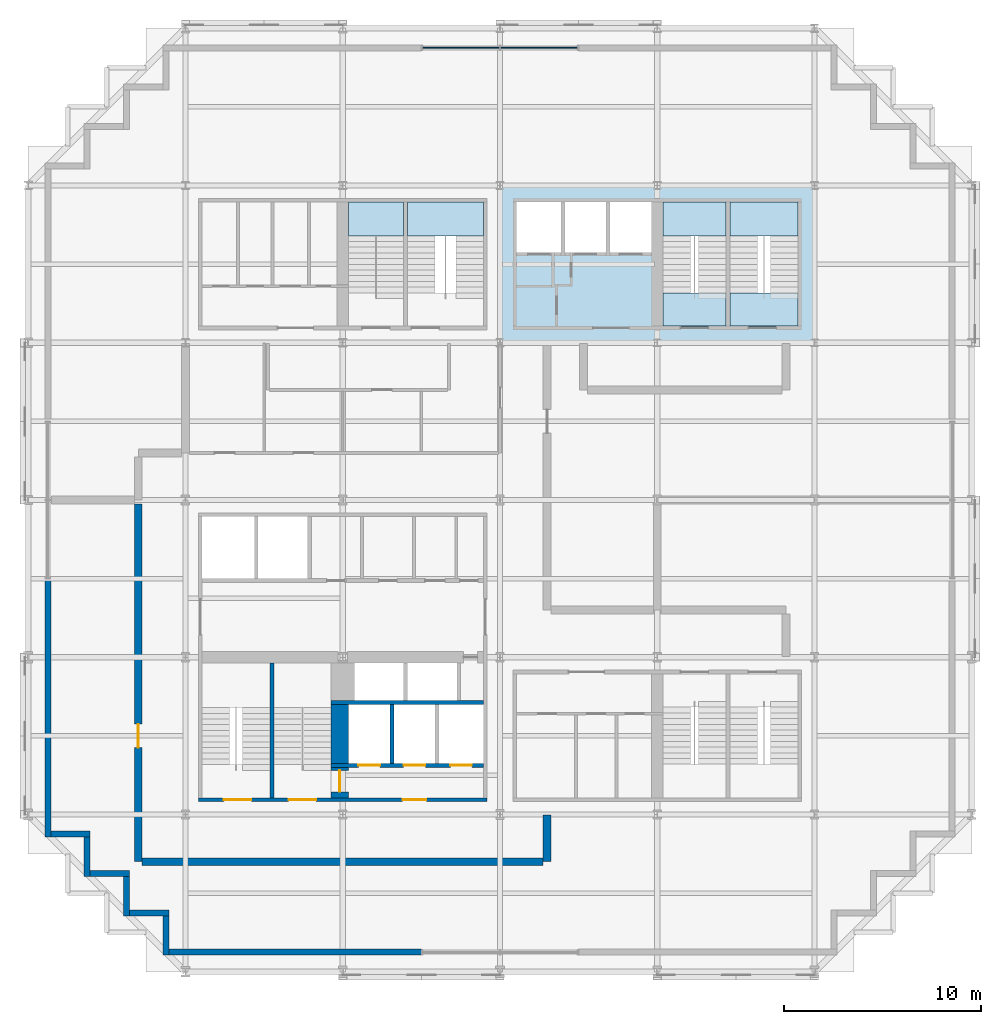
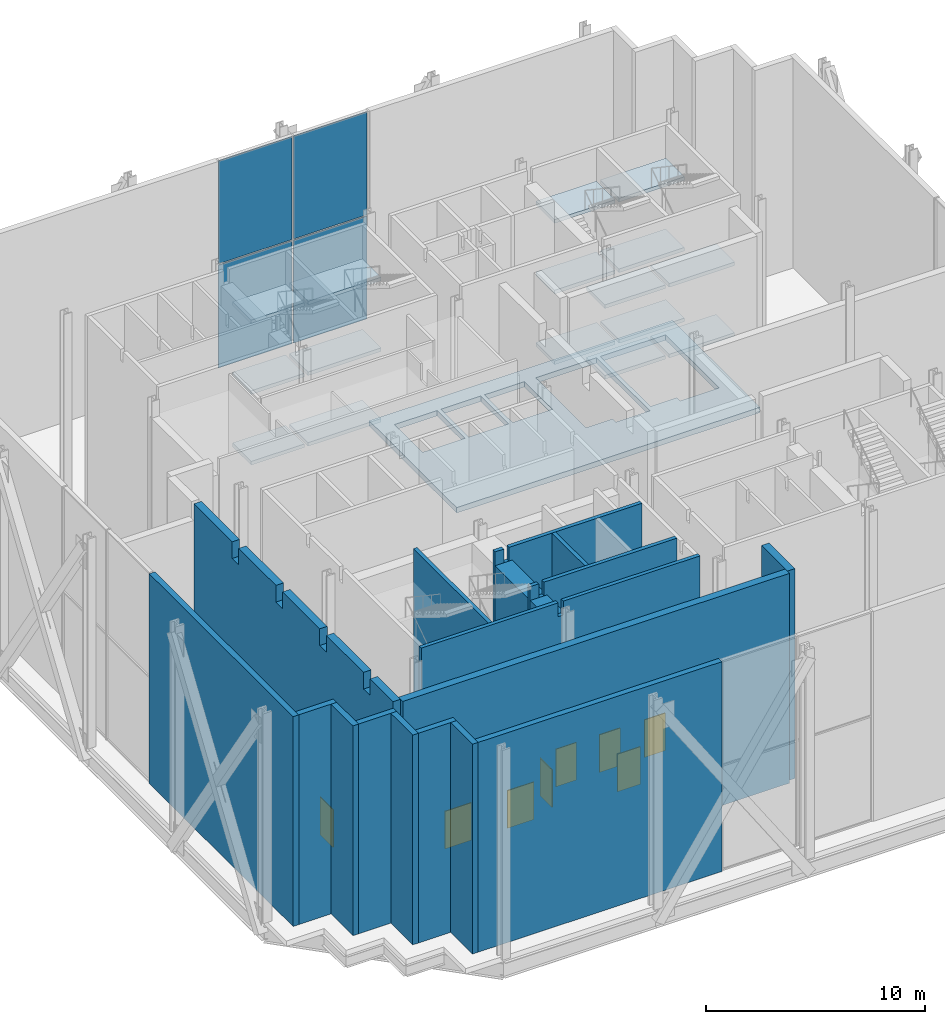
# One storey, part 7 of 14: 18 walls, 17 slabs, 8 doors, 4 plates, 8 openings, 5 elements without a shape of their own.
"""IFC4 building model written with IfcOpenShell, lengths in metres."""

from ifc_helpers import new_model, si_unit, direction, frame, frame_2d, origin, origin_2d, place, context, subcontext, project, spatial, polyline, rectangle, outline, extrude, material, layer, layer_set, type_object, element, fill, aggregate, save


model = new_model("IFC4")

# Units and contexts
model_context = context("Model", 3, precision=1e-05, world=origin(), true_north=direction((0.0, 1.0)))
body_context = subcontext(model_context, "Body", "Model", "MODEL_VIEW")
ifc_project = project(units=[si_unit("LENGTHUNIT", "METRE"), si_unit("AREAUNIT", "SQUARE_METRE"), si_unit("VOLUMEUNIT", "CUBIC_METRE"), si_unit("PLANEANGLEUNIT", "RADIAN"), si_unit("MASSUNIT", "GRAM", prefix="KILO")], contexts=[model_context])

# Site, building, storey
site_placement = place(None, origin())
site = spatial("IfcSite", under=ifc_project, at=site_placement, CompositionType="ELEMENT")
building_placement = place(site_placement, origin())
building = spatial("IfcBuilding", under=site, at=building_placement, Name="Immortelle Media Tower", CompositionType="ELEMENT")
storey_placement = place(building_placement, frame((0.0, 0.0, 9.0)))
storey = spatial("IfcBuildingStorey", under=building, at=storey_placement, Name="L01", CompositionType="ELEMENT", Elevation=9.0)

# Slab
ifc_material_1 = material(Name="Concrete C50/60", Category="concrete")
ifc_layer_1 = layer(ifc_material_1, 0.300048828125)
ifc_layer_set_1 = layer_set([ifc_layer_1], Name="Concrete C50/60")
slab_type_1 = type_object("IfcSlabType", Name="Core floor slab 300", PredefinedType="FLOOR", material=ifc_layer_set_1)
slab_1_placement = place(storey_placement, frame((0.0, 0.0, -0.300048828125)))
element("IfcSlab", 1, at=slab_1_placement, inside=storey, type_object=slab_type_1, Name="Core floor NE", PredefinedType="FLOOR", context=body_context, shape_type="SweptSolid", body=[
    extrude(outline(polyline([(24.0, 32.0), (40.0, 32.0), (40.0, 40.0), (24.0, 40.0), (24.0, 32.0)]), holes=[polyline([(24.85009765625, 36.60009765625), (27.10009765625, 36.60009765625), (27.10009765625, 39.14990234375), (24.85009765625, 39.14990234375), (24.85009765625, 36.60009765625)]), polyline([(27.300048828125, 36.60009765625), (29.39990234375, 36.60009765625), (29.39990234375, 39.14990234375), (27.300048828125, 39.14990234375), (27.300048828125, 36.60009765625)]), polyline([(29.60009765625, 36.60009765625), (31.699951171875, 36.60009765625), (31.699951171875, 39.14990234375), (29.60009765625, 39.14990234375), (29.60009765625, 36.60009765625)]), polyline([(32.300048828125, 39.14990234375), (35.5, 39.14990234375), (35.5, 34.27001953125), (33.699951171875, 34.27001953125), (33.699951171875, 34.56005859375), (32.300048828125, 34.56005859375), (32.300048828125, 39.14990234375)]), polyline([(35.699951171875, 39.14990234375), (39.14990234375, 39.14990234375), (39.14990234375, 34.27001953125), (37.10009765625, 34.27001953125), (37.10009765625, 34.56005859375), (35.699951171875, 34.56005859375), (35.699951171875, 39.14990234375)])]), origin(), (0.0, 0.0, 1.0), 0.300048828125),
])

# Curtain wall, plates
ifc_material_2 = material(Name="Aluminium curtain wall system", Category="aluminium")
curtain_wall_type = type_object("IfcCurtainWallType", Name="Media wall curtain wall", PredefinedType="NOTDEFINED", material=ifc_material_2)
curtain_wall_placement = place(storey_placement, origin())
curtain_wall = element("IfcCurtainWall", 2, at=curtain_wall_placement, inside=storey, type_object=curtain_wall_type, Name="Media wall L01 N 21-2", PredefinedType="NOTDEFINED")
ifc_material_3 = material(Name="Light-diffusing louvre panel, pale aluminium", Category="aluminium")
ifc_layer_2 = layer(ifc_material_3, 0.06005859375)
ifc_layer_set_2 = layer_set([ifc_layer_2], Name="Light-diffusing louvre panel, pale aluminium")
plate_type = type_object("IfcPlateType", Name="Louvre and light-diffusing panel 60 mm", PredefinedType="CURTAIN_PANEL", material=ifc_layer_set_2)
plate_1_placement = place(storey_placement, frame((25.97998046875, 47.0, 0.080078125), z_axis=(0.0, 0.0, 1.0), x_axis=(-1.0, 0.0, 0.0)))
plate_1 = element("IfcPlate", 3, at=plate_1_placement, type_object=plate_type, Name="CW3 panel 1.1", PredefinedType="CURTAIN_PANEL", context=body_context, shape_type="SweptSolid", body=[
    extrude(rectangle(XDim=3.8798828125, YDim=0.06005859375, at=origin_2d()), origin(), (0.0, 0.0, 1.0), 5.72998046875),
])
plate_2_placement = place(storey_placement, frame((25.97998046875, 47.0, 5.889892578125), z_axis=(0.0, 0.0, 1.0), x_axis=(-1.0, 0.0, 0.0)))
plate_2 = element("IfcPlate", 4, at=plate_2_placement, type_object=plate_type, Name="CW3 panel 1.2", PredefinedType="CURTAIN_PANEL", context=body_context, shape_type="SweptSolid", body=[
    extrude(rectangle(XDim=3.8798828125, YDim=0.06005859375, at=origin_2d()), origin(), (0.0, 0.0, 1.0), 5.72998046875),
])
plate_3_placement = place(storey_placement, frame((22.02001953125, 47.0, 0.080078125), z_axis=(0.0, 0.0, 1.0), x_axis=(-1.0, 0.0, 0.0)))
plate_3 = element("IfcPlate", 5, at=plate_3_placement, type_object=plate_type, Name="CW3 panel 2.1", PredefinedType="CURTAIN_PANEL", context=body_context, shape_type="SweptSolid", body=[
    extrude(rectangle(XDim=3.8798828125, YDim=0.06005859375, at=origin_2d()), origin(), (0.0, 0.0, 1.0), 5.72998046875),
])
plate_4_placement = place(storey_placement, frame((22.02001953125, 47.0, 5.889892578125), z_axis=(0.0, 0.0, 1.0), x_axis=(-1.0, 0.0, 0.0)))
plate_4 = element("IfcPlate", 6, at=plate_4_placement, type_object=plate_type, Name="CW3 panel 2.2", PredefinedType="CURTAIN_PANEL", context=body_context, shape_type="SweptSolid", body=[
    extrude(rectangle(XDim=3.8798828125, YDim=0.06005859375, at=origin_2d()), origin(), (0.0, 0.0, 1.0), 5.72998046875),
])
aggregate(curtain_wall, [plate_1, plate_2, plate_3, plate_4])

# Stair, slabs
ifc_material_4 = material(Name="Steel ASTM A992 Gr 50", Category="steel")
stair_type = type_object("IfcStairType", Name="Stair with flights", PredefinedType="DOUBLE_RETURN_STAIR", material=ifc_material_4)
stair_1_placement = place(storey_placement, origin())
stair_1 = element("IfcStair", 7, at=stair_1_placement, inside=storey, type_object=stair_type, Name="Exit stair NW1", PredefinedType="DOUBLE_RETURN_STAIR")
ifc_material_5 = material(Name="Steel ASTM A572 Gr 50", Category="steel")
ifc_layer_3 = layer(ifc_material_5, 0.199951171875)
ifc_layer_set_3 = layer_set([ifc_layer_3], Name="Steel ASTM A572 Gr 50")
slab_type_2 = type_object("IfcSlabType", Name="Stair landing 200", PredefinedType="LANDING", material=ifc_layer_set_3)
slab_2_placement = place(storey_placement, frame((0.0, 0.0, 1.770263671875)))
slab_2 = element("IfcSlab", 8, at=slab_2_placement, type_object=slab_type_2, Name="ST NW1 landing 1", PredefinedType="LANDING", context=body_context, shape_type="SweptSolid", body=[
    extrude(outline(polyline([(16.300048828125, 37.43994140625), (19.10009765625, 37.43994140625), (19.10009765625, 39.14990234375), (16.300048828125, 39.14990234375), (16.300048828125, 37.43994140625)])), origin(), (0.0, 0.0, 1.0), 0.199951171875),
])
slab_3_placement = place(storey_placement, frame((0.0, 0.0, 5.71044921875)))
slab_3 = element("IfcSlab", 9, at=slab_3_placement, type_object=slab_type_2, Name="ST NW1 landing 3", PredefinedType="LANDING", context=body_context, shape_type="SweptSolid", body=[
    extrude(outline(polyline([(16.300048828125, 37.43994140625), (19.10009765625, 37.43994140625), (19.10009765625, 39.14990234375), (16.300048828125, 39.14990234375), (16.300048828125, 37.43994140625)])), origin(), (0.0, 0.0, 1.0), 0.199951171875),
])
slab_4_placement = place(storey_placement, frame((0.0, 0.0, 9.650634765625)))
slab_4 = element("IfcSlab", 10, at=slab_4_placement, type_object=slab_type_2, Name="ST NW1 landing 5", PredefinedType="LANDING", context=body_context, shape_type="SweptSolid", body=[
    extrude(outline(polyline([(16.300048828125, 37.43994140625), (19.10009765625, 37.43994140625), (19.10009765625, 39.14990234375), (16.300048828125, 39.14990234375), (16.300048828125, 37.43994140625)])), origin(), (0.0, 0.0, 1.0), 0.2001953125),
])
aggregate(stair_1, [slab_2, slab_3, slab_4])

stair_2_placement = place(storey_placement, origin())
stair_2 = element("IfcStair", 11, at=stair_2_placement, inside=storey, type_object=stair_type, Name="Exit stair NW2", PredefinedType="DOUBLE_RETURN_STAIR")
slab_5_placement = place(storey_placement, frame((0.0, 0.0, 1.770263671875)))
slab_5 = element("IfcSlab", 12, at=slab_5_placement, type_object=slab_type_2, Name="ST NW2 landing 1", PredefinedType="LANDING", context=body_context, shape_type="SweptSolid", body=[
    extrude(outline(polyline([(19.300048828125, 37.43994140625), (23.14990234375, 37.43994140625), (23.14990234375, 39.14990234375), (19.300048828125, 39.14990234375), (19.300048828125, 37.43994140625)])), origin(), (0.0, 0.0, 1.0), 0.199951171875),
])
slab_6_placement = place(storey_placement, frame((0.0, 0.0, 5.71044921875)))
slab_6 = element("IfcSlab", 13, at=slab_6_placement, type_object=slab_type_2, Name="ST NW2 landing 3", PredefinedType="LANDING", context=body_context, shape_type="SweptSolid", body=[
    extrude(outline(polyline([(19.300048828125, 37.43994140625), (23.14990234375, 37.43994140625), (23.14990234375, 39.14990234375), (19.300048828125, 39.14990234375), (19.300048828125, 37.43994140625)])), origin(), (0.0, 0.0, 1.0), 0.199951171875),
])
slab_7_placement = place(storey_placement, frame((0.0, 0.0, 9.650634765625)))
slab_7 = element("IfcSlab", 14, at=slab_7_placement, type_object=slab_type_2, Name="ST NW2 landing 5", PredefinedType="LANDING", context=body_context, shape_type="SweptSolid", body=[
    extrude(outline(polyline([(19.300048828125, 37.43994140625), (23.14990234375, 37.43994140625), (23.14990234375, 39.14990234375), (19.300048828125, 39.14990234375), (19.300048828125, 37.43994140625)])), origin(), (0.0, 0.0, 1.0), 0.2001953125),
])
aggregate(stair_2, [slab_5, slab_6, slab_7])

stair_3_placement = place(storey_placement, origin())
stair_3 = element("IfcStair", 15, at=stair_3_placement, inside=storey, type_object=stair_type, Name="Exit stair NE1", PredefinedType="DOUBLE_RETURN_STAIR")
slab_8_placement = place(storey_placement, frame((0.0, 0.0, 1.770263671875)))
slab_8 = element("IfcSlab", 16, at=slab_8_placement, type_object=slab_type_2, Name="ST NE1 landing 1", PredefinedType="LANDING", context=body_context, shape_type="SweptSolid", body=[
    extrude(outline(polyline([(32.300048828125, 37.43994140625), (35.5, 37.43994140625), (35.5, 39.14990234375), (32.300048828125, 39.14990234375), (32.300048828125, 37.43994140625)])), origin(), (0.0, 0.0, 1.0), 0.199951171875),
])
slab_9_placement = place(storey_placement, frame((0.0, 0.0, 3.740234375)))
slab_9 = element("IfcSlab", 17, at=slab_9_placement, type_object=slab_type_2, Name="ST NE1 landing 2", PredefinedType="LANDING", context=body_context, shape_type="SweptSolid", body=[
    extrude(outline(polyline([(32.300048828125, 32.85009765625), (35.5, 32.85009765625), (35.5, 34.5400390625), (32.300048828125, 34.5400390625), (32.300048828125, 32.85009765625)])), origin(), (0.0, 0.0, 1.0), 0.199951171875),
])
slab_10_placement = place(storey_placement, frame((0.0, 0.0, 5.71044921875)))
slab_10 = element("IfcSlab", 18, at=slab_10_placement, type_object=slab_type_2, Name="ST NE1 landing 3", PredefinedType="LANDING", context=body_context, shape_type="SweptSolid", body=[
    extrude(outline(polyline([(32.300048828125, 37.43994140625), (35.5, 37.43994140625), (35.5, 39.14990234375), (32.300048828125, 39.14990234375), (32.300048828125, 37.43994140625)])), origin(), (0.0, 0.0, 1.0), 0.199951171875),
])
slab_11_placement = place(storey_placement, frame((0.0, 0.0, 7.6806640625)))
slab_11 = element("IfcSlab", 19, at=slab_11_placement, type_object=slab_type_2, Name="ST NE1 landing 4", PredefinedType="LANDING", context=body_context, shape_type="SweptSolid", body=[
    extrude(outline(polyline([(32.300048828125, 32.85009765625), (35.5, 32.85009765625), (35.5, 34.5400390625), (32.300048828125, 34.5400390625), (32.300048828125, 32.85009765625)])), origin(), (0.0, 0.0, 1.0), 0.199951171875),
])
slab_12_placement = place(storey_placement, frame((0.0, 0.0, 9.650634765625)))
slab_12 = element("IfcSlab", 20, at=slab_12_placement, type_object=slab_type_2, Name="ST NE1 landing 5", PredefinedType="LANDING", context=body_context, shape_type="SweptSolid", body=[
    extrude(outline(polyline([(32.300048828125, 37.43994140625), (35.5, 37.43994140625), (35.5, 39.14990234375), (32.300048828125, 39.14990234375), (32.300048828125, 37.43994140625)])), origin(), (0.0, 0.0, 1.0), 0.2001953125),
])
aggregate(stair_3, [slab_8, slab_9, slab_10, slab_11, slab_12])

stair_4_placement = place(storey_placement, origin())
stair_4 = element("IfcStair", 21, at=stair_4_placement, inside=storey, type_object=stair_type, Name="Exit stair NE2", PredefinedType="DOUBLE_RETURN_STAIR")
slab_13_placement = place(storey_placement, frame((0.0, 0.0, 1.770263671875)))
slab_13 = element("IfcSlab", 22, at=slab_13_placement, type_object=slab_type_2, Name="ST NE2 landing 1", PredefinedType="LANDING", context=body_context, shape_type="SweptSolid", body=[
    extrude(outline(polyline([(35.699951171875, 37.43994140625), (39.14990234375, 37.43994140625), (39.14990234375, 39.14990234375), (35.699951171875, 39.14990234375), (35.699951171875, 37.43994140625)])), origin(), (0.0, 0.0, 1.0), 0.199951171875),
])
slab_14_placement = place(storey_placement, frame((0.0, 0.0, 3.740234375)))
slab_14 = element("IfcSlab", 23, at=slab_14_placement, type_object=slab_type_2, Name="ST NE2 landing 2", PredefinedType="LANDING", context=body_context, shape_type="SweptSolid", body=[
    extrude(outline(polyline([(35.699951171875, 32.85009765625), (39.14990234375, 32.85009765625), (39.14990234375, 34.5400390625), (35.699951171875, 34.5400390625), (35.699951171875, 32.85009765625)])), origin(), (0.0, 0.0, 1.0), 0.199951171875),
])
slab_15_placement = place(storey_placement, frame((0.0, 0.0, 5.71044921875)))
slab_15 = element("IfcSlab", 24, at=slab_15_placement, type_object=slab_type_2, Name="ST NE2 landing 3", PredefinedType="LANDING", context=body_context, shape_type="SweptSolid", body=[
    extrude(outline(polyline([(35.699951171875, 37.43994140625), (39.14990234375, 37.43994140625), (39.14990234375, 39.14990234375), (35.699951171875, 39.14990234375), (35.699951171875, 37.43994140625)])), origin(), (0.0, 0.0, 1.0), 0.199951171875),
])
slab_16_placement = place(storey_placement, frame((0.0, 0.0, 7.6806640625)))
slab_16 = element("IfcSlab", 25, at=slab_16_placement, type_object=slab_type_2, Name="ST NE2 landing 4", PredefinedType="LANDING", context=body_context, shape_type="SweptSolid", body=[
    extrude(outline(polyline([(35.699951171875, 32.85009765625), (39.14990234375, 32.85009765625), (39.14990234375, 34.5400390625), (35.699951171875, 34.5400390625), (35.699951171875, 32.85009765625)])), origin(), (0.0, 0.0, 1.0), 0.199951171875),
])
slab_17_placement = place(storey_placement, frame((0.0, 0.0, 9.650634765625)))
slab_17 = element("IfcSlab", 26, at=slab_17_placement, type_object=slab_type_2, Name="ST NE2 landing 5", PredefinedType="LANDING", context=body_context, shape_type="SweptSolid", body=[
    extrude(outline(polyline([(35.699951171875, 37.43994140625), (39.14990234375, 37.43994140625), (39.14990234375, 39.14990234375), (35.699951171875, 39.14990234375), (35.699951171875, 37.43994140625)])), origin(), (0.0, 0.0, 1.0), 0.2001953125),
])
aggregate(stair_4, [slab_13, slab_14, slab_15, slab_16, slab_17])

# Wall, openings, doors
ifc_material_6 = material(Name="Fire-rated gypsum board", Category="gypsum")
ifc_layer_4 = layer(ifc_material_6, 0.03759765625)
ifc_material_7 = material(Name="Steel ASTM A653 SS Gr 50 stud frame with mineral wool", Category="steel")
ifc_layer_5 = layer(ifc_material_7, 0.125)
ifc_layer_6 = layer(ifc_material_6, 0.03759765625)
ifc_layer_set_4 = layer_set([ifc_layer_4, ifc_layer_5, ifc_layer_6], Name="Steel ASTM A653 SS Gr 50 stud frame with mineral wool")
wall_type_1 = type_object("IfcWallType", Name="Core shaft wall 200", PredefinedType="PARTITIONING", material=ifc_layer_set_4)
wall_1_placement = place(storey_placement, frame((15.39990234375, 10.5, 0.0), z_axis=(0.0, 0.0, 1.0), x_axis=(1.0, 0.0, 0.0)))
wall_1 = element("IfcWall", 27, at=wall_1_placement, inside=storey, type_object=wall_type_1, Name="Core shaft wall SW", PredefinedType="PARTITIONING", context=body_context, shape_type="SweptSolid", body=[
    extrude(outline(polyline([(0.0, 0.0), (7.75, 0.0), (7.75, 11.699951171875), (0.738525390625, 11.699951171875), (0.737548828125, 10.931884765625), (0.46240234375, 10.931884765625), (0.46142578125, 11.699951171875), (0.0, 11.699951171875), (0.0, 0.0)])), frame((0.0, 0.10009765625, 0.0), z_axis=(0.0, -1.0, 0.0), x_axis=(1.0, 0.0, 0.0)), (0.0, 0.0, 1.0), 0.199951171875),
])
opening_1_placement = place(wall_1_placement, frame((1.39990234375, 0.0, 0.0)))
opening_1 = element("IfcOpeningElement", 28, at=opening_1_placement, cuts=wall_1, Name="Opening LD", PredefinedType="OPENING", context=body_context, shape_type="SweptSolid", body=[
    extrude(rectangle(XDim=1.10009765625, YDim=2.10009765625, at=frame_2d((0.550048828125, 1.050048828125))), frame((0.0, 0.10986328125, 0.0), z_axis=(0.0, -1.0, 0.0), x_axis=(1.0, 0.0, 0.0)), (0.0, 0.0, 1.0), 0.219970703125),
])
opening_2_placement = place(wall_1_placement, frame((3.699951171875, 0.0, 0.0)))
opening_2 = element("IfcOpeningElement", 29, at=opening_2_placement, cuts=wall_1, Name="Opening LD", PredefinedType="OPENING", context=body_context, shape_type="SweptSolid", body=[
    extrude(rectangle(XDim=1.10009765625, YDim=2.10009765625, at=frame_2d((0.550048828125, 1.050048828125))), frame((0.0, 0.10986328125, 0.0), z_axis=(0.0, -1.0, 0.0), x_axis=(1.0, 0.0, 0.0)), (0.0, 0.0, 1.0), 0.219970703125),
])
opening_3_placement = place(wall_1_placement, frame((6.074951171875, 0.0, 0.0)))
opening_3 = element("IfcOpeningElement", 30, at=opening_3_placement, cuts=wall_1, Name="Opening LD", PredefinedType="OPENING", context=body_context, shape_type="SweptSolid", body=[
    extrude(rectangle(XDim=1.10009765625, YDim=2.10009765625, at=frame_2d((0.550048828125, 1.050048828125))), frame((0.0, 0.10986328125, 0.0), z_axis=(0.0, -1.0, 0.0), x_axis=(1.0, 0.0, 0.0)), (0.0, 0.0, 1.0), 0.219970703125),
])
ifc_material_8 = material(Name="Stainless steel AISI 304", Category="steel")
door_type_1 = type_object("IfcDoorType", Name="Landing door 1100 x 2100", OperationType="SLIDING_TO_LEFT", PredefinedType="NOTDEFINED", material=ifc_material_8)
door_1_placement = place(opening_1_placement, origin())
door_1 = element("IfcDoor", 31, at=door_1_placement, inside=storey, type_object=door_type_1, Name="Landing door FF1 L01", OperationType="SLIDING_TO_LEFT", OverallHeight=2.10009765625, OverallWidth=1.10009765625, PredefinedType="NOTDEFINED", context=body_context, shape_type="SweptSolid", body=[
    extrude(rectangle(XDim=1.10009765625, YDim=2.10009765625, at=frame_2d((0.550048828125, 1.050048828125))), frame((0.0, 0.02490234375, 0.0), z_axis=(0.0, -1.0, 0.0), x_axis=(1.0, 0.0, 0.0)), (0.0, 0.0, 1.0), 0.050048828125),
])
fill(opening_1, door_1)
door_2_placement = place(opening_2_placement, origin())
door_2 = element("IfcDoor", 32, at=door_2_placement, inside=storey, type_object=door_type_1, Name="Landing door FF2 L01", OperationType="SLIDING_TO_LEFT", OverallHeight=2.10009765625, OverallWidth=1.10009765625, PredefinedType="NOTDEFINED", context=body_context, shape_type="SweptSolid", body=[
    extrude(rectangle(XDim=1.10009765625, YDim=2.10009765625, at=frame_2d((0.550048828125, 1.050048828125))), frame((0.0, 0.02490234375, 0.0), z_axis=(0.0, -1.0, 0.0), x_axis=(1.0, 0.0, 0.0)), (0.0, 0.0, 1.0), 0.050048828125),
])
fill(opening_2, door_2)
door_3_placement = place(opening_3_placement, origin())
door_3 = element("IfcDoor", 33, at=door_3_placement, inside=storey, type_object=door_type_1, Name="Landing door FF3 L01", OperationType="SLIDING_TO_LEFT", OverallHeight=2.10009765625, OverallWidth=1.10009765625, PredefinedType="NOTDEFINED", context=body_context, shape_type="SweptSolid", body=[
    extrude(rectangle(XDim=1.10009765625, YDim=2.10009765625, at=frame_2d((0.550048828125, 1.050048828125))), frame((0.0, 0.02490234375, 0.0), z_axis=(0.0, -1.0, 0.0), x_axis=(1.0, 0.0, 0.0)), (0.0, 0.0, 1.0), 0.050048828125),
])
fill(opening_3, door_3)

# Walls
wall_2_placement = place(storey_placement, frame((15.39990234375, 13.699951171875, 0.0), z_axis=(0.0, 0.0, 1.0), x_axis=(1.0, 0.0, 0.0)))
element("IfcWall", 34, at=wall_2_placement, inside=storey, type_object=wall_type_1, Name="Core shaft wall SW", PredefinedType="PARTITIONING", context=body_context, shape_type="SweptSolid", body=[
    extrude(outline(polyline([(0.0, 0.0), (7.75, 0.0), (7.75, 11.699951171875), (0.738525390625, 11.699951171875), (0.737548828125, 10.931884765625), (0.46240234375, 10.931884765625), (0.46142578125, 11.699951171875), (0.0, 11.699951171875), (0.0, 0.0)])), frame((0.0, 0.10009765625, 0.0), z_axis=(0.0, -1.0, 0.0), x_axis=(1.0, 0.0, 0.0)), (0.0, 0.0, 1.0), 0.199951171875),
])
wall_3_placement = place(storey_placement, frame((18.5, 10.60009765625, 0.0), z_axis=(0.0, 0.0, 1.0), x_axis=(0.0, 1.0, 0.0)))
element("IfcWall", 35, at=wall_3_placement, inside=storey, type_object=wall_type_1, Name="Core shaft wall SW", PredefinedType="PARTITIONING", context=body_context, shape_type="SweptSolid", body=[
    extrude(rectangle(XDim=3.0, YDim=0.199951171875, at=frame_2d((1.5, 0.0))), origin(), (0.0, 0.0, 1.0), 11.699951171875),
])
ifc_material_9 = material(Name="Pale aluminium cladding panel", Category="aluminium")
ifc_layer_7 = layer(ifc_material_9, 0.030029296875)
ifc_layer_8 = layer(ifc_material_7, 0.257568359375)
ifc_material_10 = material(Name="Moisture-resistant gypsum board", Category="gypsum")
ifc_layer_9 = layer(ifc_material_10, 0.012451171875)
ifc_layer_set_5 = layer_set([ifc_layer_7, ifc_layer_8, ifc_layer_9], Name="Steel ASTM A653 SS Gr 50 stud frame with mineral wool")
wall_type_2 = type_object("IfcWallType", Name="Pale metal clad wall 300", PredefinedType="STANDARD", material=ifc_layer_set_5)
for number, where, z_axis, x_axis, name in (
    (36, (1.14990234375, 7.0, 0.0), (0.0, 0.0, 1.0), (1.0, 0.0, 0.0), "Studio wall L01 S 1"),
    (37, (3.0, 6.85009765625, 0.0), (0.0, 0.0, 1.0), (0.0, -1.0, 0.0), "Studio wall L01 W 2"),
    (38, (3.14990234375, 5.0, 0.0), (0.0, 0.0, 1.0), (1.0, 0.0, 0.0), "Studio wall L01 S 3"),
    (39, (5.0, 4.85009765625, 0.0), (0.0, 0.0, 1.0), (0.0, -1.0, 0.0), "Studio wall L01 W 4"),
    (40, (5.14990234375, 3.0, 0.0), (0.0, 0.0, 1.0), (1.0, 0.0, 0.0), "Studio wall L01 S 5"),
    (41, (7.0, 2.85009765625, 0.0), (0.0, 0.0, 1.0), (0.0, -1.0, 0.0), "Studio wall L01 W 6"),
):
    element("IfcWall", number, at=place(storey_placement, frame(where, z_axis=z_axis, x_axis=x_axis)), inside=storey, type_object=wall_type_2, Name=name, PredefinedType="STANDARD", context=body_context, shape_type="SweptSolid", body=[
        extrude(rectangle(XDim=2.0, YDim=0.300048828125, at=frame_2d((1.0, 0.0))), origin(), (0.0, 0.0, 1.0), 11.699951171875),
    ])
wall_4_placement = place(storey_placement, frame((7.14990234375, 1.0, 0.0), z_axis=(0.0, 0.0, 1.0), x_axis=(1.0, 0.0, 0.0)))
element("IfcWall", 42, at=wall_4_placement, inside=storey, type_object=wall_type_2, Name="Studio wall L01 S 7-1", PredefinedType="STANDARD", context=body_context, shape_type="SweptSolid", body=[
    extrude(rectangle(XDim=12.85009765625, YDim=0.300048828125, at=frame_2d((6.425048828125, 0.0))), origin(), (0.0, 0.0, 1.0), 11.699951171875),
])
wall_5_placement = place(storey_placement, frame((1.0, 20.0, 0.0), z_axis=(0.0, 0.0, 1.0), x_axis=(0.0, -1.0, 0.0)))
element("IfcWall", 43, at=wall_5_placement, inside=storey, type_object=wall_type_2, Name="Studio wall L01 W 28-3", PredefinedType="STANDARD", context=body_context, shape_type="SweptSolid", body=[
    extrude(rectangle(XDim=13.14990234375, YDim=0.300048828125, at=frame_2d((6.574951171875, 0.0))), origin(), (0.0, 0.0, 1.0), 11.699951171875),
])

# Wall, openings, doors
ifc_material_11 = material(Name="Concrete C60", Category="concrete")
ifc_layer_10 = layer(ifc_material_11, 0.199951171875)
ifc_layer_set_6 = layer_set([ifc_layer_10], Name="Concrete C60")
wall_type_3 = type_object("IfcWallType", Name="Stair shaft wall 200", PredefinedType="PARTITIONING", material=ifc_layer_set_6)
wall_6_placement = place(storey_placement, frame((8.64990234375, 8.75, 0.0), z_axis=(0.0, 0.0, 1.0), x_axis=(1.0, 0.0, 0.0)))
wall_6 = element("IfcWall", 44, at=wall_6_placement, inside=storey, type_object=wall_type_3, Name="Stair shaft wall SW", PredefinedType="PARTITIONING", context=body_context, shape_type="SweptSolid", body=[
    extrude(outline(polyline([(0.0, 0.0), (14.7001953125, 0.0), (14.699951171875, 11.699951171875), (7.488525390625, 11.699951171875), (7.487548828125, 10.931884765625), (7.21240234375, 10.931884765625), (7.21142578125, 11.699951171875), (0.0, 11.699951171875), (0.0, 0.0)])), frame((0.0, 0.10009765625, 0.0), z_axis=(0.0, -1.0, 0.0), x_axis=(1.0, 0.0, 0.0)), (0.0, 0.0, 1.0), 0.199951171875),
])
opening_4_placement = place(wall_6_placement, frame((1.300048828125, 0.0, 0.0)))
opening_4 = element("IfcOpeningElement", 45, at=opening_4_placement, cuts=wall_6, Name="Opening P1-K002", PredefinedType="OPENING", context=body_context, shape_type="SweptSolid", body=[
    extrude(rectangle(XDim=1.39990234375, YDim=2.10009765625, at=frame_2d((0.699951171875, 1.050048828125))), frame((0.0, 0.10986328125, 0.0), z_axis=(0.0, -1.0, 0.0), x_axis=(1.0, 0.0, 0.0)), (0.0, 0.0, 1.0), 0.219970703125),
])
opening_5_placement = place(wall_6_placement, frame((4.60009765625, 0.0, 0.0)))
opening_5 = element("IfcOpeningElement", 46, at=opening_5_placement, cuts=wall_6, Name="Opening P1-K003", PredefinedType="OPENING", context=body_context, shape_type="SweptSolid", body=[
    extrude(rectangle(XDim=1.39990234375, YDim=2.10009765625, at=frame_2d((0.699951171875, 1.050048828125))), frame((0.0, 0.10986328125, 0.0), z_axis=(0.0, -1.0, 0.0), x_axis=(1.0, 0.0, 0.0)), (0.0, 0.0, 1.0), 0.219970703125),
])
opening_6_placement = place(wall_6_placement, frame((10.39990234375, 0.0, 0.0)))
opening_6 = element("IfcOpeningElement", 47, at=opening_6_placement, cuts=wall_6, Name="Opening P1-K008", PredefinedType="OPENING", context=body_context, shape_type="SweptSolid", body=[
    extrude(rectangle(XDim=1.199951171875, YDim=2.10009765625, at=frame_2d((0.60009765625, 1.050048828125))), frame((0.0, 0.10986328125, 0.0), z_axis=(0.0, -1.0, 0.0), x_axis=(1.0, 0.0, 0.0)), (0.0, 0.0, 1.0), 0.219970703125),
])
ifc_material_12 = material(Name="Galvanised steel door leaf and frame ASTM A653", Category="steel")
door_type_2 = type_object("IfcDoorType", Name="Fire-fighting lobby door 1200 x 2100", OperationType="NOTDEFINED", PredefinedType="NOTDEFINED", material=ifc_material_12)
door_4_placement = place(opening_6_placement, origin())
door_4 = element("IfcDoor", 48, at=door_4_placement, inside=storey, type_object=door_type_2, Name="Fire-fighting lobby P1-K008", OperationType="SINGLE_SWING_LEFT", OverallHeight=2.10009765625, OverallWidth=1.199951171875, PredefinedType="NOTDEFINED", context=body_context, shape_type="SweptSolid", body=[
    extrude(rectangle(XDim=1.199951171875, YDim=2.10009765625, at=frame_2d((0.60009765625, 1.050048828125))), frame((0.0, 0.02490234375, 0.0), z_axis=(0.0, -1.0, 0.0), x_axis=(1.0, 0.0, 0.0)), (0.0, 0.0, 1.0), 0.050048828125),
])
fill(opening_6, door_4)
door_type_3 = type_object("IfcDoorType", Name="Stair door 1400 x 2100", OperationType="DOUBLE_DOOR_SINGLE_SWING", PredefinedType="NOTDEFINED", material=ifc_material_12)
door_5_placement = place(opening_4_placement, origin())
door_5 = element("IfcDoor", 49, at=door_5_placement, inside=storey, type_object=door_type_3, Name="Stair P1-K002", OperationType="DOUBLE_DOOR_SINGLE_SWING", OverallHeight=2.10009765625, OverallWidth=1.39990234375, PredefinedType="NOTDEFINED", context=body_context, shape_type="SweptSolid", body=[
    extrude(rectangle(XDim=1.39990234375, YDim=2.10009765625, at=frame_2d((0.699951171875, 1.050048828125))), frame((0.0, 0.02490234375, 0.0), z_axis=(0.0, -1.0, 0.0), x_axis=(1.0, 0.0, 0.0)), (0.0, 0.0, 1.0), 0.050048828125),
])
fill(opening_4, door_5)
door_6_placement = place(opening_5_placement, origin())
door_6 = element("IfcDoor", 50, at=door_6_placement, inside=storey, type_object=door_type_3, Name="Stair P1-K003", OperationType="DOUBLE_DOOR_SINGLE_SWING", OverallHeight=2.10009765625, OverallWidth=1.39990234375, PredefinedType="NOTDEFINED", context=body_context, shape_type="SweptSolid", body=[
    extrude(rectangle(XDim=1.39990234375, YDim=2.10009765625, at=frame_2d((0.699951171875, 1.050048828125))), frame((0.0, 0.02490234375, 0.0), z_axis=(0.0, -1.0, 0.0), x_axis=(1.0, 0.0, 0.0)), (0.0, 0.0, 1.0), 0.050048828125),
])
fill(opening_5, door_6)

# Wall
wall_7_placement = place(storey_placement, frame((12.39990234375, 8.85009765625, 0.0), z_axis=(0.0, 0.0, 1.0), x_axis=(0.0, 1.0, 0.0)))
element("IfcWall", 51, at=wall_7_placement, inside=storey, type_object=wall_type_3, Name="Stair shaft wall SW", PredefinedType="PARTITIONING", context=body_context, shape_type="SweptSolid", body=[
    extrude(rectangle(XDim=6.849853515625, YDim=0.199951171875, at=frame_2d((3.4248046875, 0.0))), origin(), (0.0, 0.0, 1.0), 11.699951171875),
])

# Wall, opening, door
ifc_layer_11 = layer(ifc_material_11, 0.89990234375)
ifc_layer_set_7 = layer_set([ifc_layer_11], Name="Concrete C60")
wall_type_4 = type_object("IfcWallType", Name="Stair shaft wall 900", PredefinedType="PARTITIONING", material=ifc_layer_set_7)
wall_8_placement = place(storey_placement, frame((15.85009765625, 8.85009765625, 0.0), z_axis=(0.0, 0.0, 1.0), x_axis=(0.0, 1.0, 0.0)))
wall_8 = element("IfcWall", 52, at=wall_8_placement, inside=storey, type_object=wall_type_4, Name="Stair shaft wall SW", PredefinedType="PARTITIONING", context=body_context, shape_type="SweptSolid", body=[
    extrude(rectangle(XDim=1.5498046875, YDim=0.89990234375, at=frame_2d((0.77490234375, 0.0))), origin(), (0.0, 0.0, 1.0), 10.931884765625),
])
opening_7_placement = place(wall_8_placement, frame((0.300048828125, 0.0, 0.0)))
opening_7 = element("IfcOpeningElement", 53, at=opening_7_placement, cuts=wall_8, Name="Opening P1-K005", PredefinedType="OPENING", context=body_context, shape_type="SweptSolid", body=[
    extrude(rectangle(XDim=1.10009765625, YDim=2.10009765625, at=frame_2d((0.550048828125, 1.050048828125))), frame((0.0, 0.4599609375, 0.0), z_axis=(0.0, -1.0, 0.0), x_axis=(1.0, 0.0, 0.0)), (0.0, 0.0, 1.0), 0.919921875),
])
door_type_4 = type_object("IfcDoorType", Name="Stair lobby door 1100 x 2100", OperationType="NOTDEFINED", PredefinedType="NOTDEFINED", material=ifc_material_12)
door_7_placement = place(opening_7_placement, origin())
door_7 = element("IfcDoor", 54, at=door_7_placement, inside=storey, type_object=door_type_4, Name="Stair lobby P1-K005", OperationType="SINGLE_SWING_LEFT", OverallHeight=2.10009765625, OverallWidth=1.10009765625, PredefinedType="NOTDEFINED", context=body_context, shape_type="SweptSolid", body=[
    extrude(rectangle(XDim=1.10009765625, YDim=2.10009765625, at=frame_2d((0.550048828125, 1.050048828125))), frame((0.0, 0.02490234375, 0.0), z_axis=(0.0, -1.0, 0.0), x_axis=(1.0, 0.0, 0.0)), (0.0, 0.0, 1.0), 0.050048828125),
])
fill(opening_7, door_7)

# Walls
wall_9_placement = place(storey_placement, frame((15.85009765625, 10.60009765625, 0.0), z_axis=(0.0, 0.0, 1.0), x_axis=(0.0, 1.0, 0.0)))
element("IfcWall", 55, at=wall_9_placement, inside=storey, type_object=wall_type_4, Name="Stair shaft wall SW", PredefinedType="PARTITIONING", context=body_context, shape_type="SweptSolid", body=[
    extrude(rectangle(XDim=3.0, YDim=0.89990234375, at=frame_2d((1.5, 0.0))), origin(), (0.0, 0.0, 1.0), 10.931884765625),
])
ifc_material_13 = material(Name="Acoustic masonry blockwork", Category="masonry")
ifc_layer_12 = layer(ifc_material_13, 0.39990234375)
ifc_layer_set_8 = layer_set([ifc_layer_12], Name="Acoustic masonry blockwork")
wall_type_5 = type_object("IfcWallType", Name="Studio shell 400", PredefinedType="PARTITIONING", material=ifc_layer_set_8)
wall_10_placement = place(storey_placement, frame((5.800048828125, 5.60009765625, 0.0), z_axis=(0.0, 0.0, 1.0), x_axis=(1.0, 0.0, 0.0)))
element("IfcWall", 56, at=wall_10_placement, inside=storey, type_object=wall_type_5, Name="Partition L01-001", PredefinedType="PARTITIONING", context=body_context, shape_type="SweptSolid", body=[
    extrude(rectangle(XDim=20.39990234375, YDim=0.39990234375, at=frame_2d((10.199951171875, 0.0))), origin(), (0.0, 0.0, 1.0), 11.699951171875),
])

# Wall, opening, door
wall_11_placement = place(storey_placement, frame((5.60009765625, 5.60009765625, 0.0), z_axis=(0.0, 0.0, 1.0), x_axis=(0.0, 1.0, 0.0)))
wall_11 = element("IfcWall", 57, at=wall_11_placement, inside=storey, type_object=wall_type_5, Name="Partition L01-002", PredefinedType="PARTITIONING", context=body_context, shape_type="SweptSolid", body=[
    extrude(outline(polyline([(0.0, 0.0), (18.199951171875, 0.0), (18.199951171875, 11.699951171875), (14.699951171875, 11.699951171875), (14.697998046875, 10.77294921875), (14.10205078125, 10.77294921875), (14.10009765625, 11.699951171875), (10.699951171875, 11.699951171875), (10.697998046875, 10.77294921875), (10.10205078125, 10.77294921875), (10.10009765625, 11.699951171875), (6.699951171875, 11.699951171875), (6.697998046875, 10.77294921875), (6.10205078125, 10.77294921875), (6.10009765625, 11.699951171875), (2.699951171875, 11.699951171875), (2.697998046875, 10.77294921875), (2.10205078125, 10.77294921875), (2.10009765625, 11.699951171875), (0.0, 11.699951171875), (0.0, 0.0)])), frame((0.0, 0.199951171875, 0.0), z_axis=(0.0, -1.0, 0.0), x_axis=(1.0, 0.0, 0.0)), (0.0, 0.0, 1.0), 0.39990234375),
])
opening_8_placement = place(wall_11_placement, frame((5.800048828125, 0.0, 0.0)))
opening_8 = element("IfcOpeningElement", 58, at=opening_8_placement, cuts=wall_11, Name="Opening P1-F001", PredefinedType="OPENING", context=body_context, shape_type="SweptSolid", body=[
    extrude(rectangle(XDim=1.199951171875, YDim=2.10009765625, at=frame_2d((0.60009765625, 1.050048828125))), frame((0.0, 0.2099609375, 0.0), z_axis=(0.0, -1.0, 0.0), x_axis=(1.0, 0.0, 0.0)), (0.0, 0.0, 1.0), 0.419921875),
])
ifc_material_14 = material(Name="Acoustic timber core door leaf", Category="wood")
door_type_5 = type_object("IfcDoorType", Name="Studio door 1200 x 2100 acoustic", OperationType="NOTDEFINED", PredefinedType="DOOR", material=ifc_material_14)
door_8_placement = place(opening_8_placement, origin())
door_8 = element("IfcDoor", 59, at=door_8_placement, inside=storey, type_object=door_type_5, Name="Door P1-F001", OperationType="SINGLE_SWING_LEFT", OverallHeight=2.10009765625, OverallWidth=1.199951171875, PredefinedType="DOOR", context=body_context, shape_type="SweptSolid", body=[
    extrude(rectangle(XDim=1.199951171875, YDim=2.10009765625, at=frame_2d((0.60009765625, 1.050048828125))), frame((0.0, 0.02490234375, 0.0), z_axis=(0.0, -1.0, 0.0), x_axis=(1.0, 0.0, 0.0)), (0.0, 0.0, 1.0), 0.050048828125),
])
fill(opening_8, door_8)

# Wall
wall_12_placement = place(storey_placement, frame((26.39990234375, 5.60009765625, 0.0), z_axis=(0.0, 0.0, 1.0), x_axis=(0.0, 1.0, 0.0)))
element("IfcWall", 60, at=wall_12_placement, inside=storey, type_object=wall_type_5, Name="Partition L01-003", PredefinedType="PARTITIONING", context=body_context, shape_type="SweptSolid", body=[
    extrude(rectangle(XDim=2.369873046875, YDim=0.39990234375, at=frame_2d((1.18505859375, 0.0))), origin(), (0.0, 0.0, 1.0), 11.699951171875),
])

save(model, "model.ifc")
